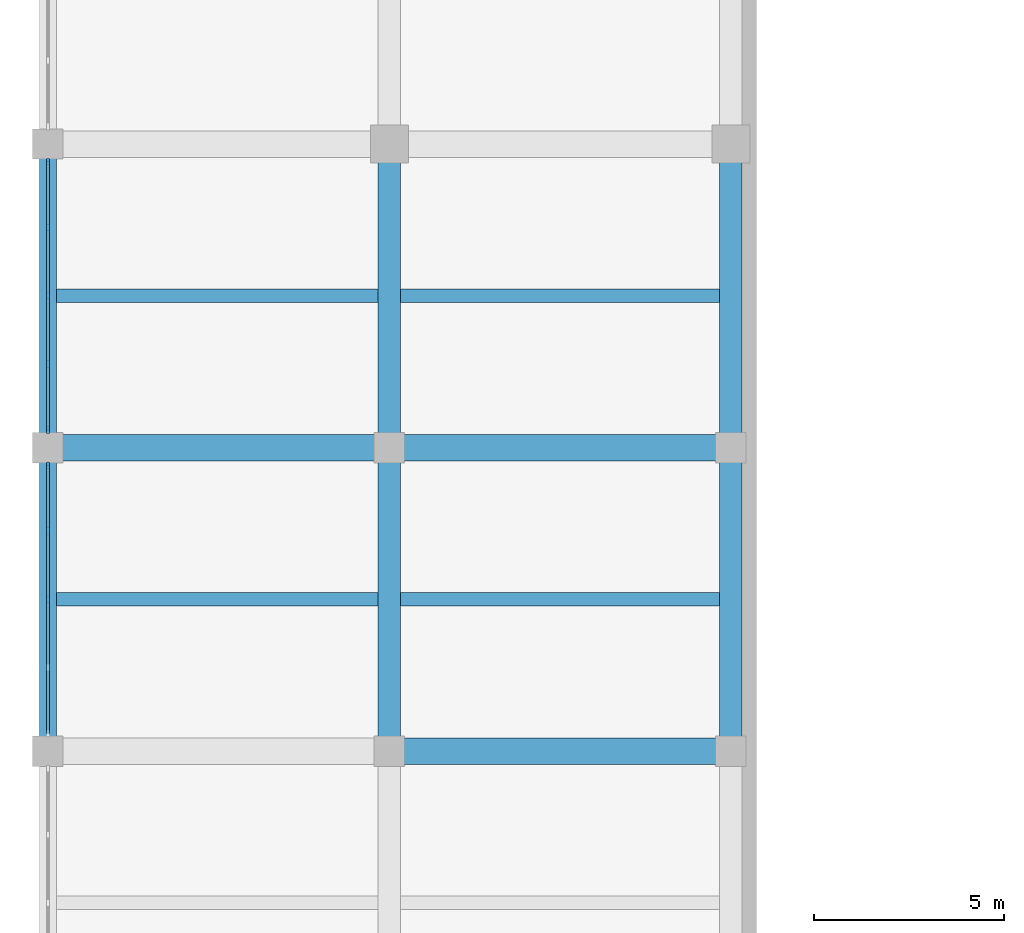
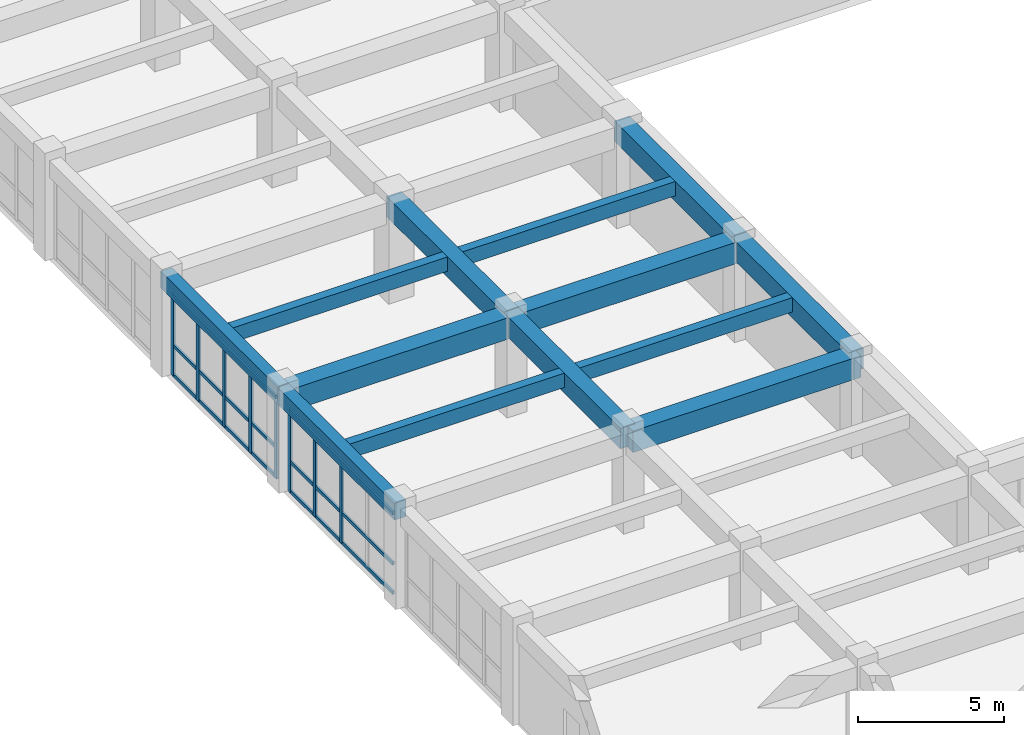
# One storey, part 7 of 50: 14 members, 13 beams, 2 elements without a shape of their own.
"""IFC4 building model written with IfcOpenShell, lengths in metres."""

from ifc_helpers import new_model, si_unit, direction, frame, origin, origin_2d, place, context, subcontext, project, spatial, rectangle, extrude, material, material_profile, profile_set, type_object, element, aggregate, save


model = new_model("IFC4")

# Units and contexts
model_context = context("Model", 3, precision=1e-05, world=origin(), true_north=direction((0.0, 1.0)))
body_context = subcontext(model_context, "Body", "Model", "MODEL_VIEW")
ifc_project = project(units=[si_unit("LENGTHUNIT", "METRE"), si_unit("AREAUNIT", "SQUARE_METRE"), si_unit("VOLUMEUNIT", "CUBIC_METRE"), si_unit("PLANEANGLEUNIT", "RADIAN"), si_unit("MASSUNIT", "GRAM", prefix="KILO")], contexts=[model_context])

# Site, building, storey
site_placement = place(None, origin())
site = spatial("IfcSite", under=ifc_project, at=site_placement, CompositionType="ELEMENT")
building_placement = place(site_placement, origin())
building = spatial("IfcBuilding", under=site, at=building_placement, Name="Zaverband Oceanarium and Marine Research Institute", CompositionType="ELEMENT")
storey_placement = place(building_placement, frame((0.0, 0.0, 9.0)))
storey = spatial("IfcBuildingStorey", under=building, at=storey_placement, Name="L02", CompositionType="ELEMENT", Elevation=9.0)

# Beams
ifc_material_1 = material(Name="Concrete C40/50", Category="concrete")
ifc_material_profile_1 = material_profile(ifc_material_1, rectangle(XDim=0.60009765625, YDim=0.85009765625, at=origin_2d()), Name="RC600x850")
ifc_profile_set_1 = profile_set([ifc_material_profile_1], Name="Concrete C40/50")
beam_type_1 = type_object("IfcBeamType", Name="BM-600x850", PredefinedType="BEAM", material=ifc_profile_set_1)
for number, where, z_axis, x_axis, name in (
    (1, (9.0, 48.0, 3.715087890625), (0.0, 1.0, 0.0), (-1.0, 0.0, 0.0), "Primary floor girder BM-600x850"),
    (2, (9.0, 56.0, 3.715087890625), (0.0, 1.0, 0.0), (-1.0, 0.0, 0.0), "Primary floor girder BM-600x850"),
    (3, (18.0, 48.0, 3.715087890625), (0.0, 1.0, 0.0), (-1.0, 0.0, 0.0), "Primary floor girder BM-600x850"),
    (4, (18.0, 56.0, 3.715087890625), (0.0, 1.0, 0.0), (-1.0, 0.0, 0.0), "Primary floor girder BM-600x850"),
):
    element("IfcBeam", number, at=place(storey_placement, frame(where, z_axis=z_axis, x_axis=x_axis)), inside=storey, type_object=beam_type_1, Name=name, PredefinedType="BEAM", context=body_context, shape_type="SweptSolid", body=[
        extrude(rectangle(XDim=0.60009765625, YDim=0.85009765625, at=origin_2d()), origin(), (0.0, 0.0, 1.0), 8.0),
    ])
ifc_material_profile_2 = material_profile(ifc_material_1, rectangle(XDim=0.699951171875, YDim=0.89990234375, at=origin_2d()), Name="RC700x900")
ifc_profile_set_2 = profile_set([ifc_material_profile_2], Name="Concrete C40/50")
beam_type_2 = type_object("IfcBeamType", Name="BM-700x900", PredefinedType="BEAM", material=ifc_profile_set_2)
for number, where, z_axis, x_axis, name in (
    (5, (9.0, 48.0, 3.68994140625), (1.0, 0.0, 0.0), (0.0, 1.0, 0.0), "Primary floor girder BM-700x900"),
    (6, (0.0, 56.0, 3.68994140625), (1.0, 0.0, 0.0), (0.0, 1.0, 0.0), "Primary floor girder BM-700x900"),
    (7, (9.0, 56.0, 3.68994140625), (1.0, 0.0, 0.0), (0.0, 1.0, 0.0), "Primary floor girder BM-700x900"),
):
    element("IfcBeam", number, at=place(storey_placement, frame(where, z_axis=z_axis, x_axis=x_axis)), inside=storey, type_object=beam_type_2, Name=name, PredefinedType="BEAM", context=body_context, shape_type="SweptSolid", body=[
        extrude(rectangle(XDim=0.699951171875, YDim=0.89990234375, at=origin_2d()), origin(), (0.0, 0.0, 1.0), 9.0),
    ])
ifc_material_profile_3 = material_profile(ifc_material_1, rectangle(XDim=0.35009765625, YDim=0.60009765625, at=origin_2d()), Name="RC350x600")
ifc_profile_set_3 = profile_set([ifc_material_profile_3], Name="Concrete C40/50")
beam_type_3 = type_object("IfcBeamType", Name="JST-350x600", PredefinedType="JOIST", material=ifc_profile_set_3)
for number, where, z_axis, x_axis, name in (
    (8, (0.22509765625, 52.0, 3.840087890625), (1.0, 0.0, 0.0), (0.0, 1.0, 0.0), "Secondary floor joist JST-350x600"),
    (9, (0.22509765625, 60.0, 3.840087890625), (1.0, 0.0, 0.0), (0.0, 1.0, 0.0), "Secondary floor joist JST-350x600"),
):
    element("IfcBeam", number, at=place(storey_placement, frame(where, z_axis=z_axis, x_axis=x_axis)), inside=storey, type_object=beam_type_3, Name=name, PredefinedType="JOIST", context=body_context, shape_type="SweptSolid", body=[
        extrude(rectangle(XDim=0.35009765625, YDim=0.60009765625, at=origin_2d()), origin(), (0.0, 0.0, 1.0), 8.474853515625),
    ])
for number, where, z_axis, x_axis, name in (
    (10, (9.300048828125, 52.0, 3.840087890625), (1.0, 0.0, 0.0), (0.0, 1.0, 0.0), "Secondary floor joist JST-350x600"),
    (11, (9.300048828125, 60.0, 3.840087890625), (1.0, 0.0, 0.0), (0.0, 1.0, 0.0), "Secondary floor joist JST-350x600"),
):
    element("IfcBeam", number, at=place(storey_placement, frame(where, z_axis=z_axis, x_axis=x_axis)), inside=storey, type_object=beam_type_3, Name=name, PredefinedType="JOIST", context=body_context, shape_type="SweptSolid", body=[
        extrude(rectangle(XDim=0.35009765625, YDim=0.60009765625, at=origin_2d()), origin(), (0.0, 0.0, 1.0), 8.39990234375),
    ])

# Curtain wall, members
ifc_material_2 = material(Name="Thermally broken anodized aluminium and solar-control glass", Category="aluminium")
curtain_wall_type = type_object("IfcCurtainWallType", Name="CW-UNIT-1800", PredefinedType="NOTDEFINED", material=ifc_material_2)
curtain_wall_1_placement = place(storey_placement, origin())
curtain_wall_1 = element("IfcCurtainWall", 12, at=curtain_wall_1_placement, inside=storey, type_object=curtain_wall_type, Name="Unitised glazed curtain wall CW-053", PredefinedType="NOTDEFINED")
ifc_material_3 = material(Name="Thermally broken anodized aluminium", Category="aluminium")
ifc_material_profile_4 = material_profile(ifc_material_3, rectangle(XDim=0.080078125, YDim=0.179931640625, at=origin_2d()), Name="AL-MUL-80x180")
ifc_profile_set_4 = profile_set([ifc_material_profile_4], Name="Thermally broken anodized aluminium")
member_type_1 = type_object("IfcMemberType", Name="MUL-80x180", PredefinedType="MULLION", material=ifc_profile_set_4)
member_1_placement = place(storey_placement, frame((0.0, 52.0, 0.0), z_axis=(0.0, 0.0, 1.0), x_axis=(1.0, 0.0, 0.0)))
member_1 = element("IfcMember", 13, at=member_1_placement, type_object=member_type_1, Name="Curtain wall vertical mullion MUL-80x180", PredefinedType="MULLION", context=body_context, shape_type="SweptSolid", body=[
    extrude(rectangle(XDim=0.080078125, YDim=0.179931640625, at=origin_2d()), origin(), (0.0, 0.0, 1.0), 3.419921875),
])
member_2_placement = place(storey_placement, frame((0.0, 53.797607421875, 0.0), z_axis=(0.0, 0.0, 1.0), x_axis=(1.0, 0.0, 0.0)))
member_2 = element("IfcMember", 14, at=member_2_placement, type_object=member_type_1, Name="Curtain wall vertical mullion MUL-80x180", PredefinedType="MULLION", context=body_context, shape_type="SweptSolid", body=[
    extrude(rectangle(XDim=0.080078125, YDim=0.179931640625, at=origin_2d()), origin(), (0.0, 0.0, 1.0), 3.419921875),
])
member_3_placement = place(storey_placement, frame((0.0, 55.534912109375, 0.0), z_axis=(0.0, 0.0, 1.0), x_axis=(1.0, 0.0, 0.0)))
member_3 = element("IfcMember", 15, at=member_3_placement, type_object=member_type_1, Name="Curtain wall vertical mullion MUL-80x180", PredefinedType="MULLION", context=body_context, shape_type="SweptSolid", body=[
    extrude(rectangle(XDim=0.080078125, YDim=0.179931640625, at=origin_2d()), origin(), (0.0, 0.0, 1.0), 3.419921875),
])

curtain_wall_2_placement = place(storey_placement, origin())
curtain_wall_2 = element("IfcCurtainWall", 16, at=curtain_wall_2_placement, inside=storey, type_object=curtain_wall_type, Name="Unitised glazed curtain wall CW-054", PredefinedType="NOTDEFINED")
member_4_placement = place(storey_placement, frame((0.0, 56.465087890625, 0.0), z_axis=(0.0, 0.0, 1.0), x_axis=(1.0, 0.0, 0.0)))
member_4 = element("IfcMember", 17, at=member_4_placement, type_object=member_type_1, Name="Curtain wall vertical mullion MUL-80x180", PredefinedType="MULLION", context=body_context, shape_type="SweptSolid", body=[
    extrude(rectangle(XDim=0.080078125, YDim=0.179931640625, at=origin_2d()), origin(), (0.0, 0.0, 1.0), 3.419921875),
])
member_5_placement = place(storey_placement, frame((0.0, 58.202392578125, 0.0), z_axis=(0.0, 0.0, 1.0), x_axis=(1.0, 0.0, 0.0)))
member_5 = element("IfcMember", 18, at=member_5_placement, type_object=member_type_1, Name="Curtain wall vertical mullion MUL-80x180", PredefinedType="MULLION", context=body_context, shape_type="SweptSolid", body=[
    extrude(rectangle(XDim=0.080078125, YDim=0.179931640625, at=origin_2d()), origin(), (0.0, 0.0, 1.0), 3.419921875),
])
member_6_placement = place(storey_placement, frame((0.0, 60.0, 0.0), z_axis=(0.0, 0.0, 1.0), x_axis=(1.0, 0.0, 0.0)))
member_6 = element("IfcMember", 19, at=member_6_placement, type_object=member_type_1, Name="Curtain wall vertical mullion MUL-80x180", PredefinedType="MULLION", context=body_context, shape_type="SweptSolid", body=[
    extrude(rectangle(XDim=0.080078125, YDim=0.179931640625, at=origin_2d()), origin(), (0.0, 0.0, 1.0), 3.419921875),
])
member_7_placement = place(storey_placement, frame((0.0, 61.797607421875, 0.0), z_axis=(0.0, 0.0, 1.0), x_axis=(1.0, 0.0, 0.0)))
member_7 = element("IfcMember", 20, at=member_7_placement, type_object=member_type_1, Name="Curtain wall vertical mullion MUL-80x180", PredefinedType="MULLION", context=body_context, shape_type="SweptSolid", body=[
    extrude(rectangle(XDim=0.080078125, YDim=0.179931640625, at=origin_2d()), origin(), (0.0, 0.0, 1.0), 3.419921875),
])
member_8_placement = place(storey_placement, frame((0.0, 63.534912109375, 0.0), z_axis=(0.0, 0.0, 1.0), x_axis=(1.0, 0.0, 0.0)))
member_8 = element("IfcMember", 21, at=member_8_placement, type_object=member_type_1, Name="Curtain wall vertical mullion MUL-80x180", PredefinedType="MULLION", context=body_context, shape_type="SweptSolid", body=[
    extrude(rectangle(XDim=0.080078125, YDim=0.179931640625, at=origin_2d()), origin(), (0.0, 0.0, 1.0), 3.419921875),
])

# Beams
ifc_material_profile_5 = material_profile(ifc_material_1, rectangle(XDim=0.449951171875, YDim=0.699951171875, at=origin_2d()), Name="RC450x700")
ifc_profile_set_5 = profile_set([ifc_material_profile_5], Name="Concrete C40/50")
beam_type_4 = type_object("IfcBeamType", Name="SPN-450x700", PredefinedType="SPANDREL", material=ifc_profile_set_5)
for number, where, z_axis, x_axis, name in (
    (22, (0.0, 48.0, 3.7900390625), (0.0, 1.0, 0.0), (-1.0, 0.0, 0.0), "Perimeter spandrel beam SPN-450x700"),
    (23, (0.0, 56.0, 3.7900390625), (0.0, 1.0, 0.0), (-1.0, 0.0, 0.0), "Perimeter spandrel beam SPN-450x700"),
):
    element("IfcBeam", number, at=place(storey_placement, frame(where, z_axis=z_axis, x_axis=x_axis)), inside=storey, type_object=beam_type_4, Name=name, PredefinedType="SPANDREL", context=body_context, shape_type="SweptSolid", body=[
        extrude(rectangle(XDim=0.449951171875, YDim=0.699951171875, at=origin_2d()), origin(), (0.0, 0.0, 1.0), 8.0),
    ])

# Member
ifc_material_profile_6 = material_profile(ifc_material_3, rectangle(XDim=0.080078125, YDim=0.139892578125, at=origin_2d()), Name="AL-TRN-80x140")
ifc_profile_set_6 = profile_set([ifc_material_profile_6], Name="Thermally broken anodized aluminium")
member_type_2 = type_object("IfcMemberType", Name="TRN-80x140", PredefinedType="USERDEFINED", material=ifc_profile_set_6)
member_9_placement = place(storey_placement, frame((0.0, 48.465087890625, 0.050048828125), z_axis=(0.0, 1.0, 0.0), x_axis=(-1.0, 0.0, 0.0)))
member_9 = element("IfcMember", 24, at=member_9_placement, type_object=member_type_2, Name="Curtain wall horizontal transom TRN-80x140", ObjectType="TRANSOM", PredefinedType="USERDEFINED", context=body_context, shape_type="SweptSolid", body=[
    extrude(rectangle(XDim=0.080078125, YDim=0.139892578125, at=origin_2d()), origin(), (0.0, 0.0, 1.0), 7.06982421875),
])

member_10_placement = place(storey_placement, frame((0.0, 48.465087890625, 1.277099609375), z_axis=(0.0, 1.0, 0.0), x_axis=(-1.0, 0.0, 0.0)))
member_10 = element("IfcMember", 25, at=member_10_placement, type_object=member_type_2, Name="Curtain wall horizontal transom TRN-80x140", ObjectType="TRANSOM", PredefinedType="USERDEFINED", context=body_context, shape_type="SweptSolid", body=[
    extrude(rectangle(XDim=0.080078125, YDim=0.139892578125, at=origin_2d()), origin(), (0.0, 0.0, 1.0), 7.06982421875),
])

member_11_placement = place(storey_placement, frame((0.0, 48.465087890625, 3.3701171875), z_axis=(0.0, 1.0, 0.0), x_axis=(-1.0, 0.0, 0.0)))
member_11 = element("IfcMember", 26, at=member_11_placement, type_object=member_type_2, Name="Curtain wall horizontal transom TRN-80x140", ObjectType="TRANSOM", PredefinedType="USERDEFINED", context=body_context, shape_type="SweptSolid", body=[
    extrude(rectangle(XDim=0.080078125, YDim=0.139892578125, at=origin_2d()), origin(), (0.0, 0.0, 1.0), 7.06982421875),
])

aggregate(curtain_wall_1, [member_1, member_2, member_3, member_9, member_10, member_11])

member_12_placement = place(storey_placement, frame((0.0, 56.465087890625, 0.050048828125), z_axis=(0.0, 1.0, 0.0), x_axis=(-1.0, 0.0, 0.0)))
member_12 = element("IfcMember", 27, at=member_12_placement, type_object=member_type_2, Name="Curtain wall horizontal transom TRN-80x140", ObjectType="TRANSOM", PredefinedType="USERDEFINED", context=body_context, shape_type="SweptSolid", body=[
    extrude(rectangle(XDim=0.080078125, YDim=0.139892578125, at=origin_2d()), origin(), (0.0, 0.0, 1.0), 7.06982421875),
])

member_13_placement = place(storey_placement, frame((0.0, 56.465087890625, 1.277099609375), z_axis=(0.0, 1.0, 0.0), x_axis=(-1.0, 0.0, 0.0)))
member_13 = element("IfcMember", 28, at=member_13_placement, type_object=member_type_2, Name="Curtain wall horizontal transom TRN-80x140", ObjectType="TRANSOM", PredefinedType="USERDEFINED", context=body_context, shape_type="SweptSolid", body=[
    extrude(rectangle(XDim=0.080078125, YDim=0.139892578125, at=origin_2d()), origin(), (0.0, 0.0, 1.0), 7.06982421875),
])

member_14_placement = place(storey_placement, frame((0.0, 56.465087890625, 3.3701171875), z_axis=(0.0, 1.0, 0.0), x_axis=(-1.0, 0.0, 0.0)))
member_14 = element("IfcMember", 29, at=member_14_placement, type_object=member_type_2, Name="Curtain wall horizontal transom TRN-80x140", ObjectType="TRANSOM", PredefinedType="USERDEFINED", context=body_context, shape_type="SweptSolid", body=[
    extrude(rectangle(XDim=0.080078125, YDim=0.139892578125, at=origin_2d()), origin(), (0.0, 0.0, 1.0), 7.06982421875),
])

aggregate(curtain_wall_2, [member_4, member_5, member_6, member_7, member_8, member_12, member_13, member_14])

save(model, "model.ifc")
